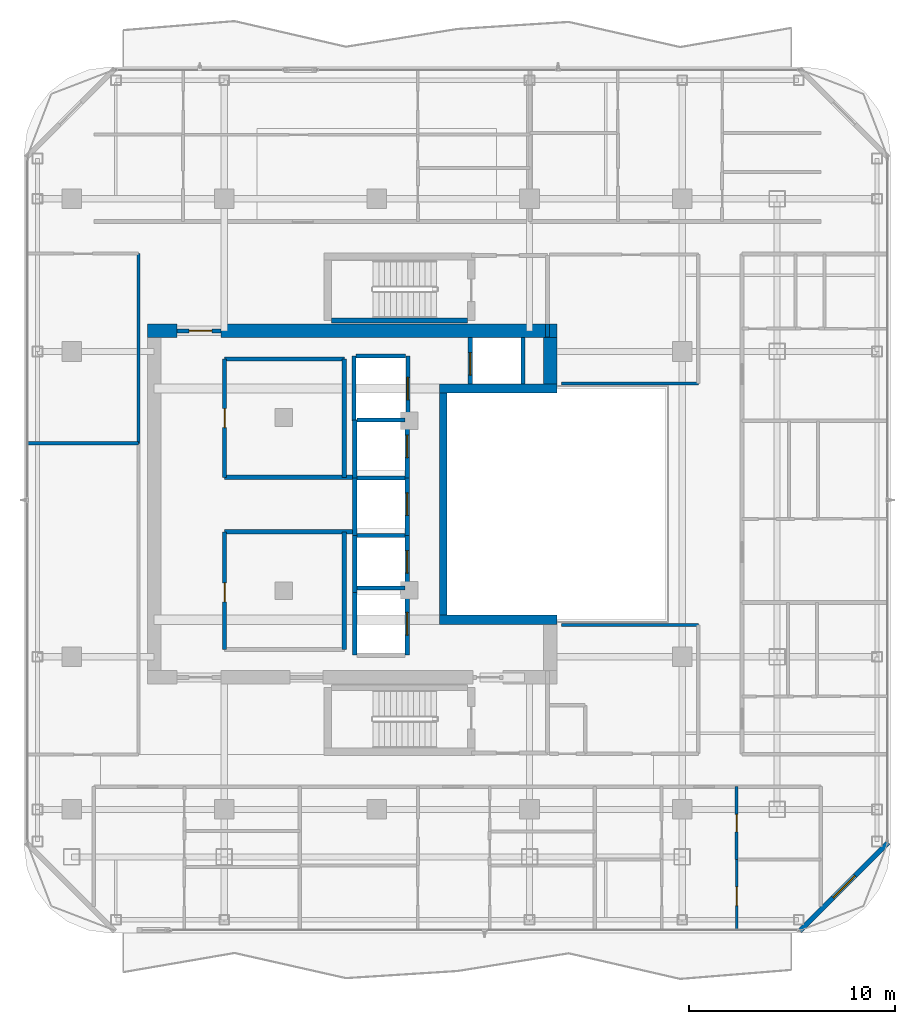
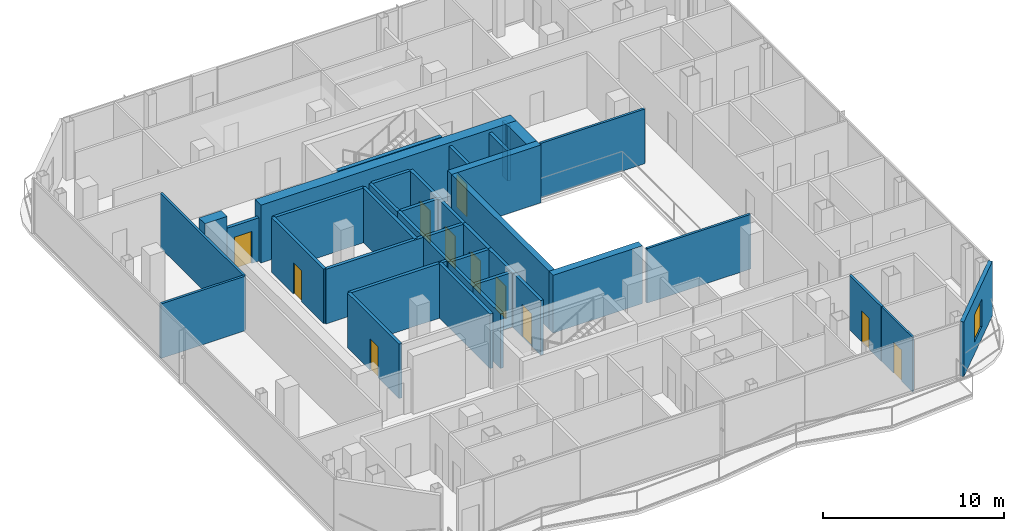
# One storey, part 18 of 26: 40 walls, 11 doors, 1 window, 12 openings.
"""IFC4 building model written with IfcOpenShell, lengths in metres."""

from ifc_helpers import new_model, si_unit, direction, frame, frame_2d, origin, place, context, subcontext, project, spatial, rectangle, extrude, material, layer, layer_set, type_object, element, fill, save


model = new_model("IFC4")

# Units and contexts
model_context = context("Model", 3, precision=1e-05, world=origin(), true_north=direction((0.0, 1.0)))
body_context = subcontext(model_context, "Body", "Model", "MODEL_VIEW")
ifc_project = project(units=[si_unit("LENGTHUNIT", "METRE"), si_unit("AREAUNIT", "SQUARE_METRE"), si_unit("VOLUMEUNIT", "CUBIC_METRE"), si_unit("PLANEANGLEUNIT", "RADIAN"), si_unit("MASSUNIT", "GRAM", prefix="KILO")], contexts=[model_context])

# Site, building, storey
site_placement = place(None, origin())
site = spatial("IfcSite", under=ifc_project, at=site_placement, CompositionType="ELEMENT")
building_placement = place(site_placement, origin())
building = spatial("IfcBuilding", under=site, at=building_placement, Name="Khorvyn Point Tower", CompositionType="ELEMENT")
storey_placement = place(building_placement, frame((0.0, 0.0, 262.5)))
storey = spatial("IfcBuildingStorey", under=building, at=storey_placement, Name="L64", CompositionType="ELEMENT", Elevation=262.5)

# Wall, opening, window
ifc_material_1 = material(Name="Pale anodised aluminium rainscreen on steel stud", Category="steel")
ifc_layer_1 = layer(ifc_material_1, 0.239990234375)
ifc_layer_set_1 = layer_set([ifc_layer_1], Name="Anodised Aluminium Insulated Corner Spandrel Wall 240")
wall_type_1 = type_object("IfcWallType", Name="Anodised Aluminium Insulated Corner Spandrel Wall 240", PredefinedType="SOLIDWALL", material=ifc_layer_set_1)
wall_1_placement = place(storey_placement, frame((24.79248046875, -16.40771484375, 0.0), z_axis=(0.0, 0.0, 1.0), x_axis=(-0.707126925818, -0.707086635981, 0.0)))
wall_1 = element("IfcWall", 1, at=wall_1_placement, inside=storey, type_object=wall_type_1, Name="L64 Rounded Corner Wall SE", PredefinedType="SOLIDWALL", context=body_context, shape_type="SweptSolid", body=[
    extrude(rectangle(XDim=6.0595703125, YDim=0.239990234375, at=frame_2d((3.02978515625, 0.0))), origin(), (0.0, 0.0, 1.0), 3.679931640625),
])
opening_1_placement = place(wall_1_placement, frame((2.27978515625, 0.0, 0.800048828125)))
opening_1 = element("IfcOpeningElement", 2, at=opening_1_placement, cuts=wall_1, Name="Opening WN-1518", PredefinedType="OPENING", context=body_context, shape_type="SweptSolid", body=[
    extrude(rectangle(XDim=1.5, YDim=1.85009765625, at=frame_2d((0.75, 0.925048828125))), frame((0.0, 0.1298828125, 0.0), z_axis=(0.0, -1.0, 0.0), x_axis=(1.0, 0.0, 0.0)), (0.0, 0.0, 1.0), 0.260009765625),
])
ifc_material_2 = material(Name="Anodised aluminium 6063-T6 and laminated Low-E glass", Category="aluminium")
window_type = type_object("IfcWindowType", Name="Anodised Aluminium Rounded-Corner Panoramic Window 1500x1850", PartitioningType="SINGLE_PANEL", PredefinedType="WINDOW", material=ifc_material_2)
window_placement = place(opening_1_placement, origin())
window = element("IfcWindow", 3, at=window_placement, inside=storey, type_object=window_type, Name="L64 Corner Panoramic Window SE", OverallHeight=1.85009765625, OverallWidth=1.5, PartitioningType="SINGLE_PANEL", PredefinedType="WINDOW", context=body_context, shape_type="SweptSolid", body=[
    extrude(rectangle(XDim=1.5, YDim=1.85009765625, at=frame_2d((0.75, 0.925048828125))), frame((0.0, 0.030029296875, 0.0), z_axis=(0.0, -1.0, 0.0), x_axis=(1.0, 0.0, 0.0)), (0.0, 0.0, 1.0), 0.06005859375),
])
fill(opening_1, window)

# Walls
ifc_material_3 = material(Name="Concrete C40/50", Category="concrete")
ifc_layer_2 = layer(ifc_material_3, 0.449951171875)
ifc_layer_set_2 = layer_set([ifc_layer_2], Name="Concrete C40/50 Core Shear Wall 450")
wall_type_2 = type_object("IfcWallType", Name="Concrete C40/50 Core Shear Wall 450", PredefinedType="SHEAR", material=ifc_layer_set_2)
for number, where, z_axis, x_axis, name in (
    (4, (3.044921875, -5.60009765625, 0.0), (0.0, 0.0, 1.0), (1.0, 0.0, 0.0), "Wall"),
    (5, (3.044921875, 5.60009765625, 0.0), (0.0, 0.0, 1.0), (1.0, 0.0, 0.0), "Wall"),
):
    element("IfcWall", number, at=place(storey_placement, frame(where, z_axis=z_axis, x_axis=x_axis)), inside=storey, type_object=wall_type_2, Name=name, PredefinedType="SHEAR", context=body_context, shape_type="SweptSolid", body=[
        extrude(rectangle(XDim=5.68017578125, YDim=0.449951171875, at=frame_2d((2.840087890625, 0.0))), origin(), (0.0, 0.0, 1.0), 3.89990234375),
    ])
ifc_layer_3 = layer(ifc_material_3, 0.64990234375)
ifc_layer_set_3 = layer_set([ifc_layer_3], Name="Concrete C40/50 Core Shear Wall 650")
wall_type_3 = type_object("IfcWallType", Name="Concrete C40/50 Core Shear Wall 650", PredefinedType="SHEAR", material=ifc_layer_set_3)
wall_2_placement = place(storey_placement, frame((-11.125, 8.39990234375, 0.0), z_axis=(0.0, 0.0, 1.0), x_axis=(1.0, 0.0, 0.0)))
element("IfcWall", 6, at=wall_2_placement, inside=storey, type_object=wall_type_3, Name="Wall", PredefinedType="SHEAR", context=body_context, shape_type="SweptSolid", body=[
    extrude(rectangle(XDim=1.425048828125, YDim=0.64990234375, at=frame_2d((0.71240234375, 0.0))), origin(), (0.0, 0.0, 1.0), 3.89990234375),
])
wall_3_placement = place(storey_placement, frame((-7.550048828125, 8.39990234375, 0.0), z_axis=(0.0, 0.0, 1.0), x_axis=(1.0, 0.0, 0.0)))
element("IfcWall", 7, at=wall_3_placement, inside=storey, type_object=wall_type_3, Name="Wall", PredefinedType="SHEAR", context=body_context, shape_type="SweptSolid", body=[
    extrude(rectangle(XDim=16.275146484375, YDim=0.64990234375, at=frame_2d((8.1376953125, 0.0))), origin(), (0.0, 0.0, 1.0), 3.89990234375),
])
wall_4_placement = place(storey_placement, frame((8.39990234375, 5.824951171875, 0.0), z_axis=(0.0, 0.0, 1.0), x_axis=(0.0, 1.0, 0.0)))
element("IfcWall", 8, at=wall_4_placement, inside=storey, type_object=wall_type_3, Name="Wall", PredefinedType="SHEAR", context=body_context, shape_type="SweptSolid", body=[
    extrude(rectangle(XDim=2.25, YDim=0.64990234375, at=frame_2d((1.125, 0.0))), origin(), (0.0, 0.0, 1.0), 3.89990234375),
])

# Wall, opening, door
ifc_layer_4 = layer(ifc_material_3, 0.199951171875)
ifc_layer_set_4 = layer_set([ifc_layer_4], Name="Concrete C40/50 Fire-Lobby Compartment Wall 200")
wall_type_4 = type_object("IfcWallType", Name="Concrete C40/50 Fire-Lobby Compartment Wall 200", PredefinedType="SOLIDWALL", material=ifc_layer_set_4)
wall_5_placement = place(storey_placement, frame((-9.699951171875, 8.39990234375, 0.0), z_axis=(0.0, 0.0, 1.0), x_axis=(1.0, 0.0, 0.0)))
wall_5 = element("IfcWall", 9, at=wall_5_placement, inside=storey, type_object=wall_type_4, Name="Wall", PredefinedType="SOLIDWALL", context=body_context, shape_type="SweptSolid", body=[
    extrude(rectangle(XDim=2.14990234375, YDim=0.199951171875, at=frame_2d((1.074951171875, 0.0))), origin(), (0.0, 0.0, 1.0), 2.919921875),
])
opening_2_placement = place(wall_5_placement, frame((0.597900390625, 0.0, 0.0)))
opening_2 = element("IfcOpeningElement", 10, at=opening_2_placement, cuts=wall_5, Name="Opening ID-FL90", PredefinedType="OPENING", context=body_context, shape_type="SweptSolid", body=[
    extrude(rectangle(XDim=1.10009765625, YDim=2.14990234375, at=frame_2d((0.550048828125, 1.074951171875))), frame((0.0, 0.10986328125, 0.0), z_axis=(0.0, -1.0, 0.0), x_axis=(1.0, 0.0, 0.0)), (0.0, 0.0, 1.0), 0.219970703125),
])
ifc_material_4 = material(Name="Galvanised powder-coated steel", Category="steel")
door_type_1 = type_object("IfcDoorType", Name="Fire-Rated Steel Lobby and Stair Door 1100x2150", OperationType="NOTDEFINED", PredefinedType="DOOR", material=ifc_material_4)
door_1_placement = place(opening_2_placement, origin())
door_1 = element("IfcDoor", 11, at=door_1_placement, inside=storey, type_object=door_type_1, Name="Door", OperationType="SINGLE_SWING_LEFT", OverallHeight=2.14990234375, OverallWidth=1.10009765625, PredefinedType="DOOR", context=body_context, shape_type="SweptSolid", body=[
    extrude(rectangle(XDim=1.10009765625, YDim=2.14990234375, at=frame_2d((0.550048828125, 1.074951171875))), frame((0.0, 0.02490234375, 0.0), z_axis=(0.0, -1.0, 0.0), x_axis=(1.0, 0.0, 0.0)), (0.0, 0.0, 1.0), 0.050048828125),
])
fill(opening_2, door_1)

wall_6_placement = place(storey_placement, frame((-7.3798828125, -7.0400390625, 0.0), z_axis=(0.0, 0.0, 1.0), x_axis=(0.0, 1.0, 0.0)))
wall_6 = element("IfcWall", 12, at=wall_6_placement, inside=storey, type_object=wall_type_4, Name="Wall", PredefinedType="SOLIDWALL", context=body_context, shape_type="SweptSolid", body=[
    extrude(rectangle(XDim=5.699951171875, YDim=0.199951171875, at=frame_2d((2.85009765625, 0.0))), origin(), (0.0, 0.0, 1.0), 3.679931640625),
])
opening_3_placement = place(wall_6_placement, frame((2.30078125, 0.0, 0.0)))
opening_3 = element("IfcOpeningElement", 13, at=opening_3_placement, cuts=wall_6, Name="Opening ID-RS60", PredefinedType="OPENING", context=body_context, shape_type="SweptSolid", body=[
    extrude(rectangle(XDim=0.919921875, YDim=2.10009765625, at=frame_2d((0.4599609375, 1.050048828125))), frame((0.0, 0.10986328125, 0.0), z_axis=(0.0, -1.0, 0.0), x_axis=(1.0, 0.0, 0.0)), (0.0, 0.0, 1.0), 0.219970703125),
])
door_type_2 = type_object("IfcDoorType", Name="Fire-Rated Riser and Store Steel Door 920x2100", OperationType="NOTDEFINED", PredefinedType="DOOR", material=ifc_material_4)
door_2_placement = place(opening_3_placement, origin())
door_2 = element("IfcDoor", 14, at=door_2_placement, inside=storey, type_object=door_type_2, Name="Door", OperationType="SINGLE_SWING_RIGHT", OverallHeight=2.10009765625, OverallWidth=0.919921875, PredefinedType="DOOR", context=body_context, shape_type="SweptSolid", body=[
    extrude(rectangle(XDim=0.919921875, YDim=2.10009765625, at=frame_2d((0.4599609375, 1.050048828125))), frame((0.0, 0.02490234375, 0.0), z_axis=(0.0, -1.0, 0.0), x_axis=(1.0, 0.0, 0.0)), (0.0, 0.0, 1.0), 0.050048828125),
])
fill(opening_3, door_2)

wall_7_placement = place(storey_placement, frame((-7.3798828125, 1.300048828125, 0.0), z_axis=(0.0, 0.0, 1.0), x_axis=(0.0, 1.0, 0.0)))
wall_7 = element("IfcWall", 15, at=wall_7_placement, inside=storey, type_object=wall_type_4, Name="Wall", PredefinedType="SOLIDWALL", context=body_context, shape_type="SweptSolid", body=[
    extrude(rectangle(XDim=5.739990234375, YDim=0.199951171875, at=frame_2d((2.8701171875, 0.0))), origin(), (0.0, 0.0, 1.0), 3.679931640625),
])
opening_4_placement = place(wall_7_placement, frame((2.409912109375, 0.0, 0.0)))
opening_4 = element("IfcOpeningElement", 16, at=opening_4_placement, cuts=wall_7, Name="Opening ID-RS60", PredefinedType="OPENING", context=body_context, shape_type="SweptSolid", body=[
    extrude(rectangle(XDim=0.919921875, YDim=2.10009765625, at=frame_2d((0.4599609375, 1.050048828125))), frame((0.0, 0.10986328125, 0.0), z_axis=(0.0, -1.0, 0.0), x_axis=(1.0, 0.0, 0.0)), (0.0, 0.0, 1.0), 0.219970703125),
])
door_3_placement = place(opening_4_placement, origin())
door_3 = element("IfcDoor", 17, at=door_3_placement, inside=storey, type_object=door_type_2, Name="Door", OperationType="SINGLE_SWING_LEFT", OverallHeight=2.10009765625, OverallWidth=0.919921875, PredefinedType="DOOR", context=body_context, shape_type="SweptSolid", body=[
    extrude(rectangle(XDim=0.919921875, YDim=2.10009765625, at=frame_2d((0.4599609375, 1.050048828125))), frame((0.0, 0.02490234375, 0.0), z_axis=(0.0, -1.0, 0.0), x_axis=(1.0, 0.0, 0.0)), (0.0, 0.0, 1.0), 0.050048828125),
])
fill(opening_4, door_3)

# Walls
for number, where, z_axis, x_axis, name in (
    (18, (-7.3798828125, -1.340087890625, 0.0), (0.0, 0.0, 1.0), (1.0, 0.0, 0.0), "Wall"),
    (19, (-7.3798828125, 1.300048828125, 0.0), (0.0, 0.0, 1.0), (1.0, 0.0, 0.0), "Wall"),
):
    element("IfcWall", number, at=place(storey_placement, frame(where, z_axis=z_axis, x_axis=x_axis)), inside=storey, type_object=wall_type_4, Name=name, PredefinedType="SOLIDWALL", context=body_context, shape_type="SweptSolid", body=[
        extrude(rectangle(XDim=6.239990234375, YDim=0.199951171875, at=frame_2d((3.1201171875, 0.0))), origin(), (0.0, 0.0, 1.0), 3.679931640625),
    ])
wall_8_placement = place(storey_placement, frame((-1.580078125, -7.0400390625, 0.0), z_axis=(0.0, 0.0, 1.0), x_axis=(0.0, 1.0, 0.0)))
element("IfcWall", 20, at=wall_8_placement, inside=storey, type_object=wall_type_4, Name="Wall", PredefinedType="SOLIDWALL", context=body_context, shape_type="SweptSolid", body=[
    extrude(rectangle(XDim=5.699951171875, YDim=0.199951171875, at=frame_2d((2.85009765625, 0.0))), origin(), (0.0, 0.0, 1.0), 3.679931640625),
])
wall_9_placement = place(storey_placement, frame((-1.580078125, 1.300048828125, 0.0), z_axis=(0.0, 0.0, 1.0), x_axis=(0.0, 1.0, 0.0)))
element("IfcWall", 21, at=wall_9_placement, inside=storey, type_object=wall_type_4, Name="Wall", PredefinedType="SOLIDWALL", context=body_context, shape_type="SweptSolid", body=[
    extrude(rectangle(XDim=5.739990234375, YDim=0.199951171875, at=frame_2d((2.8701171875, 0.0))), origin(), (0.0, 0.0, 1.0), 3.679931640625),
])
wall_10_placement = place(storey_placement, frame((-7.3798828125, 7.0400390625, 0.0), z_axis=(0.0, 0.0, 1.0), x_axis=(1.0, 0.0, 0.0)))
element("IfcWall", 22, at=wall_10_placement, inside=storey, type_object=wall_type_4, Name="Wall", PredefinedType="SOLIDWALL", context=body_context, shape_type="SweptSolid", body=[
    extrude(rectangle(XDim=5.7998046875, YDim=0.199951171875, at=frame_2d((2.89990234375, 0.0))), origin(), (0.0, 0.0, 1.0), 3.679931640625),
])
wall_11_placement = place(storey_placement, frame((8.280029296875, 8.10009765625, 0.0), z_axis=(0.0, 0.0, 1.0), x_axis=(0.0, 1.0, 0.0)))
element("IfcWall", 23, at=wall_11_placement, inside=storey, type_object=wall_type_4, Name="Wall", PredefinedType="SOLIDWALL", context=body_context, shape_type="SweptSolid", body=[
    extrude(rectangle(XDim=0.625, YDim=0.199951171875, at=frame_2d((0.3125, 0.0))), origin(), (0.0, 0.0, 1.0), 3.679931640625),
])
ifc_layer_5 = layer(ifc_material_3, 0.25)
ifc_layer_set_5 = layer_set([ifc_layer_5], Name="Concrete C40/50 Stair Inner Cheek Structural Wall 250")
wall_type_5 = type_object("IfcWallType", Name="Concrete C40/50 Stair Inner Cheek Structural Wall 250", PredefinedType="SHEAR", material=ifc_layer_set_5)
wall_12_placement = place(storey_placement, frame((-2.199951171875, 8.89990234375, 0.0), z_axis=(0.0, 0.0, 1.0), x_axis=(1.0, 0.0, 0.0)))
element("IfcWall", 24, at=wall_12_placement, inside=storey, type_object=wall_type_5, Name="Wall", PredefinedType="SHEAR", context=body_context, shape_type="SweptSolid", body=[
    extrude(rectangle(XDim=6.599853515625, YDim=0.25, at=frame_2d((3.2998046875, 0.0))), origin(), (0.0, 0.0, 1.0), 3.89990234375),
])
ifc_layer_6 = layer(ifc_material_3, 0.35009765625)
ifc_layer_set_6 = layer_set([ifc_layer_6], Name="Concrete C40/50 Stair Shaft Structural Wall 350")
wall_type_6 = type_object("IfcWallType", Name="Concrete C40/50 Stair Shaft Structural Wall 350", PredefinedType="SHEAR", material=ifc_layer_set_6)
wall_13_placement = place(storey_placement, frame((3.219970703125, -5.375, 0.0), z_axis=(0.0, 0.0, 1.0), x_axis=(0.0, 1.0, 0.0)))
element("IfcWall", 25, at=wall_13_placement, inside=storey, type_object=wall_type_6, Name="Wall", PredefinedType="SHEAR", context=body_context, shape_type="SweptSolid", body=[
    extrude(rectangle(XDim=10.75, YDim=0.35009765625, at=frame_2d((5.375, 0.0))), origin(), (0.0, 0.0, 1.0), 3.89990234375),
])
ifc_layer_7 = layer(ifc_material_3, 0.199951171875)
ifc_layer_set_7 = layer_set([ifc_layer_7], Name="Concrete C40/50 Structural Hoistway and Stair Shaft Wall 200")
wall_type_7 = type_object("IfcWallType", Name="Concrete C40/50 Structural Hoistway and Stair Shaft Wall 200", PredefinedType="SHEAR", material=ifc_layer_set_7)
wall_14_placement = place(storey_placement, frame((-1.074951171875, -4.27490234375, 0.0), z_axis=(0.0, 0.0, 1.0), x_axis=(0.0, 1.0, 0.0)))
element("IfcWall", 26, at=wall_14_placement, inside=storey, type_object=wall_type_7, Name="Wall", PredefinedType="SHEAR", context=body_context, shape_type="SweptSolid", body=[
    extrude(rectangle(XDim=2.75, YDim=0.199951171875, at=frame_2d((1.375, 0.0))), origin(), (0.0, 0.0, 1.0), 3.679931640625),
])

# Wall, opening, door
wall_15_placement = place(storey_placement, frame((1.47509765625, -4.27490234375, 0.0), z_axis=(0.0, 0.0, 1.0), x_axis=(0.0, 1.0, 0.0)))
wall_15 = element("IfcWall", 27, at=wall_15_placement, inside=storey, type_object=wall_type_7, Name="Wall", PredefinedType="SHEAR", context=body_context, shape_type="SweptSolid", body=[
    extrude(rectangle(XDim=2.75, YDim=0.199951171875, at=frame_2d((1.375, 0.0))), origin(), (0.0, 0.0, 1.0), 3.679931640625),
])
opening_5_placement = place(wall_15_placement, frame((0.925048828125, 0.0, 0.0)))
opening_5 = element("IfcOpeningElement", 28, at=opening_5_placement, cuts=wall_15, Name="Opening LD-1122", PredefinedType="OPENING", context=body_context, shape_type="SweptSolid", body=[
    extrude(rectangle(XDim=1.10009765625, YDim=2.199951171875, at=frame_2d((0.550048828125, 1.10009765625))), frame((0.0, 0.10986328125, 0.0), z_axis=(0.0, -1.0, 0.0), x_axis=(1.0, 0.0, 0.0)), (0.0, 0.0, 1.0), 0.219970703125),
])
ifc_material_5 = material(Name="Stainless steel 1.4301", Category="steel")
door_type_3 = type_object("IfcDoorType", Name="Stainless Steel Automatic Sliding Lift Landing Door 1100x2200", OperationType="SLIDING_TO_LEFT", PredefinedType="DOOR", material=ifc_material_5)
door_4_placement = place(opening_5_placement, origin())
door_4 = element("IfcDoor", 29, at=door_4_placement, inside=storey, type_object=door_type_3, Name="L64 RH-01 Sliding Lift Landing Door", OperationType="SLIDING_TO_LEFT", OverallHeight=2.199951171875, OverallWidth=1.10009765625, PredefinedType="DOOR", context=body_context, shape_type="SweptSolid", body=[
    extrude(rectangle(XDim=1.10009765625, YDim=2.199951171875, at=frame_2d((0.550048828125, 1.10009765625))), frame((0.0, 0.02490234375, 0.0), z_axis=(0.0, -1.0, 0.0), x_axis=(1.0, 0.0, 0.0)), (0.0, 0.0, 1.0), 0.050048828125),
])
fill(opening_5, door_4)

# Walls
for number, where, z_axis, x_axis, name in (
    (30, (-0.97509765625, -4.074951171875, 0.0), (0.0, 0.0, 1.0), (1.0, 0.0, 0.0), "Wall"),
    (31, (-0.97509765625, -1.52490234375, 0.0), (0.0, 0.0, 1.0), (1.0, 0.0, 0.0), "Wall"),
):
    element("IfcWall", number, at=place(storey_placement, frame(where, z_axis=z_axis, x_axis=x_axis)), inside=storey, type_object=wall_type_7, Name=name, PredefinedType="SHEAR", context=body_context, shape_type="SweptSolid", body=[
        extrude(rectangle(XDim=2.35009765625, YDim=0.199951171875, at=frame_2d((1.175048828125, 0.0))), origin(), (0.0, 0.0, 1.0), 3.679931640625),
    ])
wall_16_placement = place(storey_placement, frame((-1.074951171875, -1.52490234375, 0.0), z_axis=(0.0, 0.0, 1.0), x_axis=(0.0, 1.0, 0.0)))
element("IfcWall", 32, at=wall_16_placement, inside=storey, type_object=wall_type_7, Name="Wall", PredefinedType="SHEAR", context=body_context, shape_type="SweptSolid", body=[
    extrude(rectangle(XDim=2.7998046875, YDim=0.199951171875, at=frame_2d((1.39990234375, 0.0))), origin(), (0.0, 0.0, 1.0), 3.679931640625),
])

# Wall, opening, door
wall_17_placement = place(storey_placement, frame((1.47509765625, -1.52490234375, 0.0), z_axis=(0.0, 0.0, 1.0), x_axis=(0.0, 1.0, 0.0)))
wall_17 = element("IfcWall", 33, at=wall_17_placement, inside=storey, type_object=wall_type_7, Name="Wall", PredefinedType="SHEAR", context=body_context, shape_type="SweptSolid", body=[
    extrude(rectangle(XDim=2.7998046875, YDim=0.199951171875, at=frame_2d((1.39990234375, 0.0))), origin(), (0.0, 0.0, 1.0), 3.679931640625),
])
opening_6_placement = place(wall_17_placement, frame((0.97509765625, 0.0, 0.0)))
opening_6 = element("IfcOpeningElement", 34, at=opening_6_placement, cuts=wall_17, Name="Opening LD-1122", PredefinedType="OPENING", context=body_context, shape_type="SweptSolid", body=[
    extrude(rectangle(XDim=1.10009765625, YDim=2.199951171875, at=frame_2d((0.550048828125, 1.10009765625))), frame((0.0, 0.10986328125, 0.0), z_axis=(0.0, -1.0, 0.0), x_axis=(1.0, 0.0, 0.0)), (0.0, 0.0, 1.0), 0.219970703125),
])
door_5_placement = place(opening_6_placement, origin())
door_5 = element("IfcDoor", 35, at=door_5_placement, inside=storey, type_object=door_type_3, Name="L64 RH-02 Sliding Lift Landing Door", OperationType="SLIDING_TO_LEFT", OverallHeight=2.199951171875, OverallWidth=1.10009765625, PredefinedType="DOOR", context=body_context, shape_type="SweptSolid", body=[
    extrude(rectangle(XDim=1.10009765625, YDim=2.199951171875, at=frame_2d((0.550048828125, 1.10009765625))), frame((0.0, 0.02490234375, 0.0), z_axis=(0.0, -1.0, 0.0), x_axis=(1.0, 0.0, 0.0)), (0.0, 0.0, 1.0), 0.050048828125),
])
fill(opening_6, door_5)

# Walls
wall_18_placement = place(storey_placement, frame((-0.97509765625, 1.27490234375, 0.0), z_axis=(0.0, 0.0, 1.0), x_axis=(1.0, 0.0, 0.0)))
element("IfcWall", 36, at=wall_18_placement, inside=storey, type_object=wall_type_7, Name="Wall", PredefinedType="SHEAR", context=body_context, shape_type="SweptSolid", body=[
    extrude(rectangle(XDim=2.35009765625, YDim=0.199951171875, at=frame_2d((1.175048828125, 0.0))), origin(), (0.0, 0.0, 1.0), 3.679931640625),
])
wall_19_placement = place(storey_placement, frame((-1.074951171875, 1.27490234375, 0.0), z_axis=(0.0, 0.0, 1.0), x_axis=(0.0, 1.0, 0.0)))
element("IfcWall", 37, at=wall_19_placement, inside=storey, type_object=wall_type_7, Name="Wall", PredefinedType="SHEAR", context=body_context, shape_type="SweptSolid", body=[
    extrude(rectangle(XDim=2.800048828125, YDim=0.199951171875, at=frame_2d((1.39990234375, 0.0))), origin(), (0.0, 0.0, 1.0), 3.679931640625),
])

# Wall, opening, door
wall_20_placement = place(storey_placement, frame((1.47509765625, 1.27490234375, 0.0), z_axis=(0.0, 0.0, 1.0), x_axis=(0.0, 1.0, 0.0)))
wall_20 = element("IfcWall", 38, at=wall_20_placement, inside=storey, type_object=wall_type_7, Name="Wall", PredefinedType="SHEAR", context=body_context, shape_type="SweptSolid", body=[
    extrude(rectangle(XDim=2.800048828125, YDim=0.199951171875, at=frame_2d((1.39990234375, 0.0))), origin(), (0.0, 0.0, 1.0), 3.679931640625),
])
opening_7_placement = place(wall_20_placement, frame((0.97509765625, 0.0, 0.0)))
opening_7 = element("IfcOpeningElement", 39, at=opening_7_placement, cuts=wall_20, Name="Opening LD-1122", PredefinedType="OPENING", context=body_context, shape_type="SweptSolid", body=[
    extrude(rectangle(XDim=1.10009765625, YDim=2.199951171875, at=frame_2d((0.550048828125, 1.10009765625))), frame((0.0, 0.10986328125, 0.0), z_axis=(0.0, -1.0, 0.0), x_axis=(1.0, 0.0, 0.0)), (0.0, 0.0, 1.0), 0.219970703125),
])
door_6_placement = place(opening_7_placement, origin())
door_6 = element("IfcDoor", 40, at=door_6_placement, inside=storey, type_object=door_type_3, Name="L64 RH-03 Sliding Lift Landing Door", OperationType="SLIDING_TO_LEFT", OverallHeight=2.199951171875, OverallWidth=1.10009765625, PredefinedType="DOOR", context=body_context, shape_type="SweptSolid", body=[
    extrude(rectangle(XDim=1.10009765625, YDim=2.199951171875, at=frame_2d((0.550048828125, 1.10009765625))), frame((0.0, 0.02490234375, 0.0), z_axis=(0.0, -1.0, 0.0), x_axis=(1.0, 0.0, 0.0)), (0.0, 0.0, 1.0), 0.050048828125),
])
fill(opening_7, door_6)

# Walls
wall_21_placement = place(storey_placement, frame((-0.97509765625, 4.074951171875, 0.0), z_axis=(0.0, 0.0, 1.0), x_axis=(1.0, 0.0, 0.0)))
element("IfcWall", 41, at=wall_21_placement, inside=storey, type_object=wall_type_7, Name="Wall", PredefinedType="SHEAR", context=body_context, shape_type="SweptSolid", body=[
    extrude(rectangle(XDim=2.35009765625, YDim=0.199951171875, at=frame_2d((1.175048828125, 0.0))), origin(), (0.0, 0.0, 1.0), 3.679931640625),
])
wall_22_placement = place(storey_placement, frame((-1.10009765625, 4.02490234375, 0.0), z_axis=(0.0, 0.0, 1.0), x_axis=(0.0, 1.0, 0.0)))
element("IfcWall", 42, at=wall_22_placement, inside=storey, type_object=wall_type_7, Name="Wall", PredefinedType="SHEAR", context=body_context, shape_type="SweptSolid", body=[
    extrude(rectangle(XDim=3.150146484375, YDim=0.199951171875, at=frame_2d((1.5751953125, 0.0))), origin(), (0.0, 0.0, 1.0), 3.679931640625),
])

# Wall, opening, door
wall_23_placement = place(storey_placement, frame((1.5, 4.02490234375, 0.0), z_axis=(0.0, 0.0, 1.0), x_axis=(0.0, 1.0, 0.0)))
wall_23 = element("IfcWall", 43, at=wall_23_placement, inside=storey, type_object=wall_type_7, Name="Wall", PredefinedType="SHEAR", context=body_context, shape_type="SweptSolid", body=[
    extrude(rectangle(XDim=3.150146484375, YDim=0.199951171875, at=frame_2d((1.5751953125, 0.0))), origin(), (0.0, 0.0, 1.0), 3.679931640625),
])
opening_8_placement = place(wall_23_placement, frame((1.02490234375, 0.0, 0.0)))
opening_8 = element("IfcOpeningElement", 44, at=opening_8_placement, cuts=wall_23, Name="Opening LD-1122", PredefinedType="OPENING", context=body_context, shape_type="SweptSolid", body=[
    extrude(rectangle(XDim=1.10009765625, YDim=2.199951171875, at=frame_2d((0.550048828125, 1.10009765625))), frame((0.0, 0.10986328125, 0.0), z_axis=(0.0, -1.0, 0.0), x_axis=(1.0, 0.0, 0.0)), (0.0, 0.0, 1.0), 0.219970703125),
])
door_7_placement = place(opening_8_placement, origin())
door_7 = element("IfcDoor", 45, at=door_7_placement, inside=storey, type_object=door_type_3, Name="L64 SV-01 Sliding Lift Landing Door", OperationType="SLIDING_TO_LEFT", OverallHeight=2.199951171875, OverallWidth=1.10009765625, PredefinedType="DOOR", context=body_context, shape_type="SweptSolid", body=[
    extrude(rectangle(XDim=1.10009765625, YDim=2.199951171875, at=frame_2d((0.550048828125, 1.10009765625))), frame((0.0, 0.02490234375, 0.0), z_axis=(0.0, -1.0, 0.0), x_axis=(1.0, 0.0, 0.0)), (0.0, 0.0, 1.0), 0.050048828125),
])
fill(opening_8, door_7)

# Walls
wall_24_placement = place(storey_placement, frame((-1.0, 7.175048828125, 0.0), z_axis=(0.0, 0.0, 1.0), x_axis=(1.0, 0.0, 0.0)))
element("IfcWall", 46, at=wall_24_placement, inside=storey, type_object=wall_type_7, Name="Wall", PredefinedType="SHEAR", context=body_context, shape_type="SweptSolid", body=[
    extrude(rectangle(XDim=2.39990234375, YDim=0.199951171875, at=frame_2d((1.199951171875, 0.0))), origin(), (0.0, 0.0, 1.0), 3.679931640625),
])
wall_25_placement = place(storey_placement, frame((-1.074951171875, -7.324951171875, 0.0), z_axis=(0.0, 0.0, 1.0), x_axis=(0.0, 1.0, 0.0)))
element("IfcWall", 47, at=wall_25_placement, inside=storey, type_object=wall_type_7, Name="Wall", PredefinedType="SHEAR", context=body_context, shape_type="SweptSolid", body=[
    extrude(rectangle(XDim=3.050048828125, YDim=0.199951171875, at=frame_2d((1.52490234375, 0.0))), origin(), (0.0, 0.0, 1.0), 3.679931640625),
])

# Wall, opening, door
wall_26_placement = place(storey_placement, frame((1.47509765625, -7.324951171875, 0.0), z_axis=(0.0, 0.0, 1.0), x_axis=(0.0, 1.0, 0.0)))
wall_26 = element("IfcWall", 48, at=wall_26_placement, inside=storey, type_object=wall_type_7, Name="Wall", PredefinedType="SHEAR", context=body_context, shape_type="SweptSolid", body=[
    extrude(rectangle(XDim=3.050048828125, YDim=0.199951171875, at=frame_2d((1.52490234375, 0.0))), origin(), (0.0, 0.0, 1.0), 3.679931640625),
])
opening_9_placement = place(wall_26_placement, frame((0.97509765625, 0.0, 0.0)))
opening_9 = element("IfcOpeningElement", 49, at=opening_9_placement, cuts=wall_26, Name="Opening LD-1122", PredefinedType="OPENING", context=body_context, shape_type="SweptSolid", body=[
    extrude(rectangle(XDim=1.10009765625, YDim=2.199951171875, at=frame_2d((0.550048828125, 1.10009765625))), frame((0.0, 0.10986328125, 0.0), z_axis=(0.0, -1.0, 0.0), x_axis=(1.0, 0.0, 0.0)), (0.0, 0.0, 1.0), 0.219970703125),
])
door_8_placement = place(opening_9_placement, origin())
door_8 = element("IfcDoor", 50, at=door_8_placement, inside=storey, type_object=door_type_3, Name="L64 FF-01 Sliding Lift Landing Door", OperationType="SLIDING_TO_LEFT", OverallHeight=2.199951171875, OverallWidth=1.10009765625, PredefinedType="DOOR", context=body_context, shape_type="SweptSolid", body=[
    extrude(rectangle(XDim=1.10009765625, YDim=2.199951171875, at=frame_2d((0.550048828125, 1.10009765625))), frame((0.0, 0.02490234375, 0.0), z_axis=(0.0, -1.0, 0.0), x_axis=(1.0, 0.0, 0.0)), (0.0, 0.0, 1.0), 0.050048828125),
])
fill(opening_9, door_8)

wall_27_placement = place(storey_placement, frame((4.52490234375, 5.824951171875, 0.0), z_axis=(0.0, 0.0, 1.0), x_axis=(0.0, 1.0, 0.0)))
wall_27 = element("IfcWall", 51, at=wall_27_placement, inside=storey, type_object=wall_type_7, Name="Wall", PredefinedType="SHEAR", context=body_context, shape_type="SweptSolid", body=[
    extrude(rectangle(XDim=2.25, YDim=0.199951171875, at=frame_2d((1.125, 0.0))), origin(), (0.0, 0.0, 1.0), 3.679931640625),
])
opening_10_placement = place(wall_27_placement, frame((0.425048828125, 0.0, 0.0)))
opening_10 = element("IfcOpeningElement", 52, at=opening_10_placement, cuts=wall_27, Name="Opening LD-1122", PredefinedType="OPENING", context=body_context, shape_type="SweptSolid", body=[
    extrude(rectangle(XDim=1.10009765625, YDim=2.199951171875, at=frame_2d((0.550048828125, 1.10009765625))), frame((0.0, 0.10986328125, 0.0), z_axis=(0.0, -1.0, 0.0), x_axis=(1.0, 0.0, 0.0)), (0.0, 0.0, 1.0), 0.219970703125),
])
door_9_placement = place(opening_10_placement, origin())
door_9 = element("IfcDoor", 53, at=door_9_placement, inside=storey, type_object=door_type_3, Name="L64 FF-02 Sliding Lift Landing Door", OperationType="SLIDING_TO_LEFT", OverallHeight=2.199951171875, OverallWidth=1.10009765625, PredefinedType="DOOR", context=body_context, shape_type="SweptSolid", body=[
    extrude(rectangle(XDim=1.10009765625, YDim=2.199951171875, at=frame_2d((0.550048828125, 1.10009765625))), frame((0.0, 0.02490234375, 0.0), z_axis=(0.0, -1.0, 0.0), x_axis=(1.0, 0.0, 0.0)), (0.0, 0.0, 1.0), 0.050048828125),
])
fill(opening_10, door_9)

# Wall
wall_28_placement = place(storey_placement, frame((7.074951171875, 5.824951171875, 0.0), z_axis=(0.0, 0.0, 1.0), x_axis=(0.0, 1.0, 0.0)))
element("IfcWall", 54, at=wall_28_placement, inside=storey, type_object=wall_type_7, Name="Wall", PredefinedType="SHEAR", context=body_context, shape_type="SweptSolid", body=[
    extrude(rectangle(XDim=2.25, YDim=0.199951171875, at=frame_2d((1.125, 0.0))), origin(), (0.0, 0.0, 1.0), 3.679931640625),
])

# Wall, opening, door
ifc_material_6 = material(Name="Gypsum plasterboard on steel stud", Category="steel")
ifc_layer_8 = layer(ifc_material_6, 0.1201171875)
ifc_layer_set_8 = layer_set([ifc_layer_8], Name="Gypsum Acoustic Stud Room Partition Wall 120")
wall_type_8 = type_object("IfcWallType", Name="Gypsum Acoustic Stud Room Partition Wall 120", PredefinedType="PARTITIONING", material=ifc_layer_set_8)
wall_29_placement = place(storey_placement, frame((17.443115234375, -20.6298828125, 0.0), z_axis=(0.0, 0.0, 1.0), x_axis=(0.0, 1.0, 0.0)))
wall_29 = element("IfcWall", 55, at=wall_29_placement, inside=storey, type_object=wall_type_8, Name="Wall", PredefinedType="PARTITIONING", context=body_context, shape_type="SweptSolid", body=[
    extrude(rectangle(XDim=3.410888671875, YDim=0.1201171875, at=frame_2d((1.70556640625, 0.0))), origin(), (0.0, 0.0, 1.0), 3.679931640625),
])
opening_11_placement = place(wall_29_placement, frame((1.171142578125, 0.0, 0.0)))
opening_11 = element("IfcOpeningElement", 56, at=opening_11_placement, cuts=wall_29, Name="Opening ID-RM90", PredefinedType="OPENING", context=body_context, shape_type="SweptSolid", body=[
    extrude(rectangle(XDim=0.89990234375, YDim=2.10009765625, at=frame_2d((0.449951171875, 1.050048828125))), frame((0.0, 0.070068359375, 0.0), z_axis=(0.0, -1.0, 0.0), x_axis=(1.0, 0.0, 0.0)), (0.0, 0.0, 1.0), 0.14013671875),
])
ifc_material_7 = material(Name="Engineered oak veneer timber", Category="wood")
door_type_4 = type_object("IfcDoorType", Name="Flush Engineered Timber Room Door 900x2100", OperationType="NOTDEFINED", PredefinedType="DOOR", material=ifc_material_7)
door_10_placement = place(opening_11_placement, origin())
door_10 = element("IfcDoor", 57, at=door_10_placement, inside=storey, type_object=door_type_4, Name="Door", OperationType="SINGLE_SWING_RIGHT", OverallHeight=2.10009765625, OverallWidth=0.89990234375, PredefinedType="DOOR", context=body_context, shape_type="SweptSolid", body=[
    extrude(rectangle(XDim=0.89990234375, YDim=2.10009765625, at=frame_2d((0.449951171875, 1.050048828125))), frame((0.0, 0.02490234375, 0.0), z_axis=(0.0, -1.0, 0.0), x_axis=(1.0, 0.0, 0.0)), (0.0, 0.0, 1.0), 0.050048828125),
])
fill(opening_11, door_10)

ifc_material_8 = material(Name="Moisture-resistant gypsum and cement board", Category="gypsum")
ifc_layer_9 = layer(ifc_material_8, 0.14990234375)
ifc_layer_set_9 = layer_set([ifc_layer_9], Name="Moisture-Resistant Wet-Room Partition Wall 150")
wall_type_9 = type_object("IfcWallType", Name="Moisture-Resistant Wet-Room Partition Wall 150", PredefinedType="PARTITIONING", material=ifc_layer_set_9)
wall_30_placement = place(storey_placement, frame((17.443115234375, -17.218994140625, 0.0), z_axis=(0.0, 0.0, 1.0), x_axis=(0.0, 1.0, 0.0)))
wall_30 = element("IfcWall", 58, at=wall_30_placement, inside=storey, type_object=wall_type_9, Name="Wall", PredefinedType="PARTITIONING", context=body_context, shape_type="SweptSolid", body=[
    extrude(rectangle(XDim=3.51904296875, YDim=0.14990234375, at=frame_2d((1.759521484375, 0.0))), origin(), (0.0, 0.0, 1.0), 3.679931640625),
])
opening_12_placement = place(wall_30_placement, frame((1.33447265625, 0.0, 0.0)))
opening_12 = element("IfcOpeningElement", 59, at=opening_12_placement, cuts=wall_30, Name="Opening ID-WC85", PredefinedType="OPENING", context=body_context, shape_type="SweptSolid", body=[
    extrude(rectangle(XDim=0.85009765625, YDim=2.10009765625, at=frame_2d((0.425048828125, 1.050048828125))), frame((0.0, 0.0849609375, 0.0), z_axis=(0.0, -1.0, 0.0), x_axis=(1.0, 0.0, 0.0)), (0.0, 0.0, 1.0), 0.169921875),
])
ifc_material_9 = material(Name="High-pressure laminate on moisture-resistant core", Category="wood")
door_type_5 = type_object("IfcDoorType", Name="Moisture-Resistant Accessible Washroom Door 850x2100", OperationType="NOTDEFINED", PredefinedType="DOOR", material=ifc_material_9)
door_11_placement = place(opening_12_placement, origin())
door_11 = element("IfcDoor", 60, at=door_11_placement, inside=storey, type_object=door_type_5, Name="Door", OperationType="SINGLE_SWING_LEFT", OverallHeight=2.10009765625, OverallWidth=0.85009765625, PredefinedType="DOOR", context=body_context, shape_type="SweptSolid", body=[
    extrude(rectangle(XDim=0.85009765625, YDim=2.10009765625, at=frame_2d((0.425048828125, 1.050048828125))), frame((0.0, 0.02490234375, 0.0), z_axis=(0.0, -1.0, 0.0), x_axis=(1.0, 0.0, 0.0)), (0.0, 0.0, 1.0), 0.050048828125),
])
fill(opening_12, door_11)

# Walls
for number, where, z_axis, x_axis, name in (
    (61, (8.9599609375, -5.85009765625, 0.0), (0.0, 0.0, 1.0), (1.0, 0.0, 0.0), "Wall"),
    (62, (8.9599609375, 5.85009765625, 0.0), (0.0, 0.0, 1.0), (1.0, 0.0, 0.0), "Wall"),
):
    element("IfcWall", number, at=place(storey_placement, frame(where, z_axis=z_axis, x_axis=x_axis)), inside=storey, type_object=wall_type_9, Name=name, PredefinedType="PARTITIONING", context=body_context, shape_type="SweptSolid", body=[
        extrude(rectangle(XDim=6.6201171875, YDim=0.14990234375, at=frame_2d((3.31005859375, 0.0))), origin(), (0.0, 0.0, 1.0), 3.679931640625),
    ])
wall_31_placement = place(storey_placement, frame((-16.929931640625, 2.949951171875, 0.0), z_axis=(0.0, 0.0, 1.0), x_axis=(1.0, 0.0, 0.0)))
element("IfcWall", 63, at=wall_31_placement, inside=storey, type_object=wall_type_9, Name="Wall", PredefinedType="PARTITIONING", context=body_context, shape_type="SweptSolid", body=[
    extrude(rectangle(XDim=5.3798828125, YDim=0.14990234375, at=frame_2d((2.68994140625, 0.0))), origin(), (0.0, 0.0, 1.0), 3.679931640625),
])
wall_32_placement = place(storey_placement, frame((-11.550048828125, 2.949951171875, 0.0), z_axis=(0.0, 0.0, 1.0), x_axis=(0.0, 1.0, 0.0)))
element("IfcWall", 64, at=wall_32_placement, inside=storey, type_object=wall_type_9, Name="Wall", PredefinedType="PARTITIONING", context=body_context, shape_type="SweptSolid", body=[
    extrude(rectangle(XDim=9.18994140625, YDim=0.14990234375, at=frame_2d((4.594970703125, 0.0))), origin(), (0.0, 0.0, 1.0), 3.679931640625),
])

save(model, "model.ifc")
